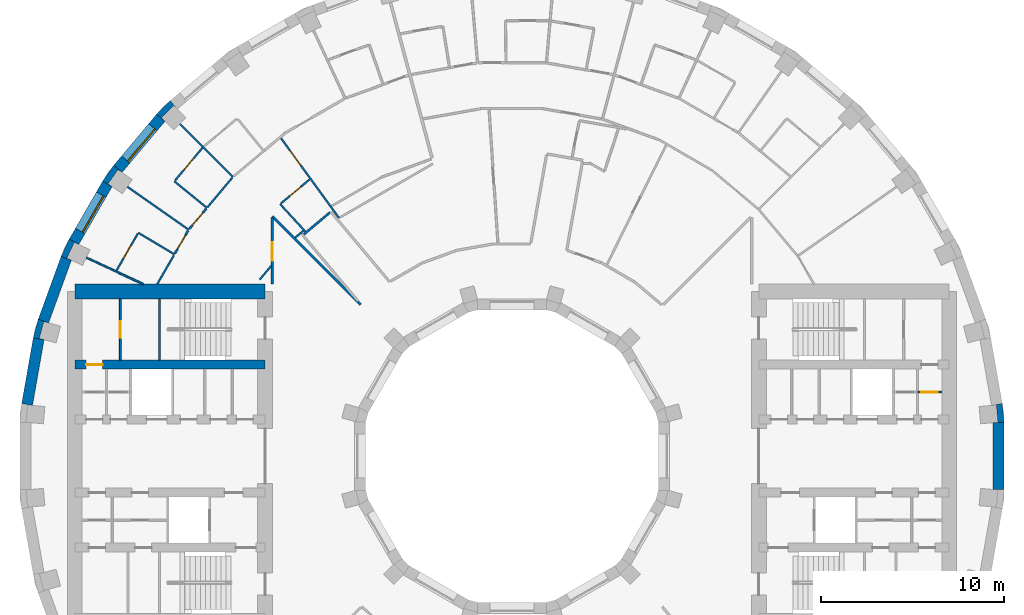
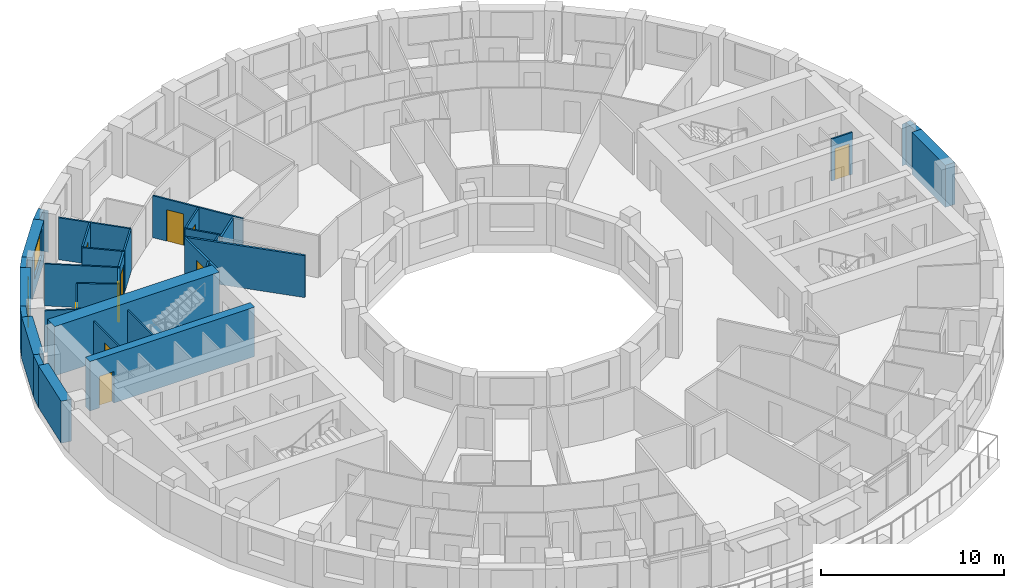
# One storey, part 11 of 16: 34 walls, 10 doors, 2 windows, 12 openings.
"""IFC4 building model written with IfcOpenShell, lengths in metres."""

from ifc_helpers import new_model, si_unit, direction, frame, frame_2d, origin, place, context, subcontext, project, spatial, polyline, rectangle, outline, extrude, material, layer, layer_set, type_object, element, fill, save


model = new_model("IFC4")

# Units and contexts
model_context = context("Model", 3, precision=1e-05, world=origin(), true_north=direction((0.0, 1.0)))
body_context = subcontext(model_context, "Body", "Model", "MODEL_VIEW")
ifc_project = project(units=[si_unit("LENGTHUNIT", "METRE"), si_unit("AREAUNIT", "SQUARE_METRE"), si_unit("VOLUMEUNIT", "CUBIC_METRE"), si_unit("PLANEANGLEUNIT", "RADIAN"), si_unit("MASSUNIT", "GRAM", prefix="KILO")], contexts=[model_context])

# Site, building, storey
site_placement = place(None, origin())
site = spatial("IfcSite", under=ifc_project, at=site_placement, CompositionType="ELEMENT")
building_placement = place(site_placement, origin())
building = spatial("IfcBuilding", under=site, at=building_placement, Name="Saqina Gate Tower", CompositionType="ELEMENT")
storey_placement = place(building_placement, frame((0.0, 0.0, 141.39990234375)))
storey = spatial("IfcBuildingStorey", under=building, at=storey_placement, Name="L40", CompositionType="ELEMENT", Elevation=141.39990234375)

# Walls
ifc_material_1 = material(Name="Brick masonry (buff)", Category="masonry")
wall_type_1 = type_object("IfcWallType", Name="BRICK PIER COPING BUFF", PredefinedType="SOLIDWALL", material=ifc_material_1)
wall_1_placement = place(storey_placement, origin())
element("IfcWall", 1, at=wall_1_placement, inside=storey, type_object=wall_type_1, Name="Pier cap L40 column 1", PredefinedType="SOLIDWALL", context=body_context, shape_type="SweptSolid", body=[
    extrude(outline(polyline([(26.805419921875, 2.87451171875), (26.214599609375, 2.770263671875), (26.482421875, 2.793701171875), (26.565185546875, 1.847412109375), (26.29736328125, 1.823974609375), (26.897216796875, 1.823974609375), (26.805419921875, 2.87451171875)])), origin(), (0.0, 0.0, 1.0), 2.800048828125),
])
wall_2_placement = place(storey_placement, origin())
element("IfcWall", 2, at=wall_2_placement, inside=storey, type_object=wall_type_1, Name="Pier cap L40 column 14", PredefinedType="SOLIDWALL", context=body_context, shape_type="SweptSolid", body=[
    extrude(outline(polyline([(-18.686279296875, 19.43212890625), (-19.43212890625, 18.686279296875), (-18.972412109375, 18.30078125), (-19.16259765625, 18.49072265625), (-18.49072265625, 19.16259765625), (-18.30078125, 18.972412109375), (-18.686279296875, 19.43212890625)])), origin(), (0.0, 0.0, 1.0), 2.800048828125),
])
wall_3_placement = place(storey_placement, origin())
element("IfcWall", 3, at=wall_3_placement, inside=storey, type_object=wall_type_1, Name="Pier cap L40 column 15", PredefinedType="SOLIDWALL", context=body_context, shape_type="SweptSolid", body=[
    extrude(outline(polyline([(-22.3818359375, 15.0283203125), (-21.862060546875, 14.728271484375), (-22.08251953125, 14.88232421875), (-21.53759765625, 15.66064453125), (-21.317138671875, 15.50634765625), (-21.77685546875, 15.89208984375), (-22.3818359375, 15.0283203125)])), origin(), (0.0, 0.0, 1.0), 2.800048828125),
])
wall_4_placement = place(storey_placement, origin())
element("IfcWall", 4, at=wall_4_placement, inside=storey, type_object=wall_type_1, Name="Pier cap L40 column 16", PredefinedType="SOLIDWALL", context=body_context, shape_type="SweptSolid", body=[
    extrude(outline(polyline([(-24.6513671875, 10.913330078125), (-24.08740234375, 10.7080078125), (-24.331298828125, 10.82177734375), (-23.9296875, 11.6826171875), (-23.68603515625, 11.569091796875), (-24.205810546875, 11.869140625), (-24.6513671875, 10.913330078125)])), origin(), (0.0, 0.0, 1.0), 2.800048828125),
])
wall_5_placement = place(storey_placement, origin())
element("IfcWall", 5, at=wall_5_placement, inside=storey, type_object=wall_type_1, Name="Pier cap L40 column 17", PredefinedType="SOLIDWALL", context=body_context, shape_type="SweptSolid", body=[
    extrude(outline(polyline([(-25.89892578125, 7.485595703125), (-26.171875, 6.466796875), (-25.5810546875, 6.36279296875), (-25.8408203125, 6.43212890625), (-25.5947265625, 7.349853515625), (-25.335205078125, 7.2802734375), (-25.89892578125, 7.485595703125)])), origin(), (0.0, 0.0, 1.0), 2.800048828125),
])

# Wall, opening, door
ifc_material_2 = material(Name="Gypsum board on steel studs", Category="steel")
ifc_layer_1 = layer(ifc_material_2, 0.10009765625)
ifc_layer_set_1 = layer_set([ifc_layer_1], Name="CORE PARTITION")
wall_type_2 = type_object("IfcWallType", Name="CORE PARTITION", PredefinedType="PARTITIONING", material=ifc_layer_set_1)
wall_6_placement = place(storey_placement, frame((22.169921875, 3.5, 0.0), z_axis=(0.0, 0.0, 1.0), x_axis=(1.0, 0.0, 0.0)))
wall_6 = element("IfcWall", 6, at=wall_6_placement, inside=storey, type_object=wall_type_2, Name="L40-CP-E10", PredefinedType="PARTITIONING", context=body_context, shape_type="SweptSolid", body=[
    extrude(rectangle(XDim=1.330078125, YDim=0.10009765625, at=frame_2d((0.6650390625, 0.0))), origin(), (0.0, 0.0, 1.0), 2.800048828125),
])
opening_1_placement = place(wall_6_placement, frame((0.215087890625, 0.0, 0.0)))
opening_1 = element("IfcOpeningElement", 7, at=opening_1_placement, cuts=wall_6, Name="Opening G12-D98", PredefinedType="OPENING", context=body_context, shape_type="SweptSolid", body=[
    extrude(rectangle(XDim=0.89990234375, YDim=2.10009765625, at=frame_2d((0.449951171875, 1.050048828125))), frame((0.0, 0.06201171875, 0.0), z_axis=(0.0, -1.0, 0.0), x_axis=(1.0, 0.0, 0.0)), (0.0, 0.0, 1.0), 0.1240234375),
])
ifc_material_3 = material(Name="Steel-framed fire door leaf, EI 60", Category="steel")
door_type_1 = type_object("IfcDoorType", Name="SERVICE ROOM DOOR 900", OperationType="SINGLE_SWING_LEFT", PredefinedType="DOOR", material=ifc_material_3)
door_1_placement = place(opening_1_placement, origin())
door_1 = element("IfcDoor", 8, at=door_1_placement, inside=storey, type_object=door_type_1, Name="L40-CD-E09", OperationType="SINGLE_SWING_RIGHT", OverallHeight=2.10009765625, OverallWidth=0.89990234375, PredefinedType="DOOR", context=body_context, shape_type="SweptSolid", body=[
    extrude(rectangle(XDim=0.89990234375, YDim=2.10009765625, at=frame_2d((0.449951171875, 1.050048828125))), frame((0.0, 0.02490234375, 0.0), z_axis=(0.0, -1.0, 0.0), x_axis=(1.0, 0.0, 0.0)), (0.0, 0.0, 1.0), 0.050048828125),
])
fill(opening_1, door_1)

wall_7_placement = place(storey_placement, frame((-21.409912109375, 5.25, 0.0), z_axis=(0.0, 0.0, 1.0), x_axis=(0.0, 1.0, 0.0)))
wall_7 = element("IfcWall", 9, at=wall_7_placement, inside=storey, type_object=wall_type_2, Name="L40-CP-W14", PredefinedType="PARTITIONING", context=body_context, shape_type="SweptSolid", body=[
    extrude(rectangle(XDim=3.35009765625, YDim=0.10009765625, at=frame_2d((1.675048828125, 0.0))), origin(), (0.0, 0.0, 1.0), 2.800048828125),
])
opening_2_placement = place(wall_7_placement, frame((1.22509765625, 0.0, 0.0)))
opening_2 = element("IfcOpeningElement", 10, at=opening_2_placement, cuts=wall_7, Name="Opening G12-D120", PredefinedType="OPENING", context=body_context, shape_type="SweptSolid", body=[
    extrude(rectangle(XDim=0.89990234375, YDim=2.10009765625, at=frame_2d((0.449951171875, 1.050048828125))), frame((0.0, 0.06201171875, 0.0), z_axis=(0.0, -1.0, 0.0), x_axis=(1.0, 0.0, 0.0)), (0.0, 0.0, 1.0), 0.1240234375),
])
door_2_placement = place(opening_2_placement, origin())
door_2 = element("IfcDoor", 11, at=door_2_placement, inside=storey, type_object=door_type_1, Name="L40-CD-W31", OperationType="SINGLE_SWING_RIGHT", OverallHeight=2.10009765625, OverallWidth=0.89990234375, PredefinedType="DOOR", context=body_context, shape_type="SweptSolid", body=[
    extrude(rectangle(XDim=0.89990234375, YDim=2.10009765625, at=frame_2d((0.449951171875, 1.050048828125))), frame((0.0, 0.02490234375, 0.0), z_axis=(0.0, -1.0, 0.0), x_axis=(1.0, 0.0, 0.0)), (0.0, 0.0, 1.0), 0.050048828125),
])
fill(opening_2, door_2)

# Wall, opening, window
ifc_material_4 = material(Name="Brick masonry (buff)", Category="masonry")
ifc_layer_2 = layer(ifc_material_4, 0.60009765625)
ifc_layer_set_2 = layer_set([ifc_layer_2], Name="FW-BRICK-BUFF")
wall_type_3 = type_object("IfcWallType", Name="FW-BRICK-BUFF", PredefinedType="SOLIDWALL", material=ifc_layer_set_2)
wall_8_placement = place(storey_placement, frame((-19.202392578125, 18.49365234375, 0.0), z_axis=(0.0, 0.0, 1.0), x_axis=(-0.642774476932, -0.766055462616, 0.0)))
wall_8 = element("IfcWall", 12, at=wall_8_placement, inside=storey, type_object=wall_type_3, Name="Facade wall L40 facet 14", PredefinedType="SOLIDWALL", context=body_context, shape_type="SweptSolid", body=[
    extrude(rectangle(XDim=3.647705078125, YDim=0.60009765625, at=frame_2d((1.82373046875, 0.0))), origin(), (0.0, 0.0, 1.0), 2.800048828125),
])
opening_3_placement = place(wall_8_placement, frame((0.673828125, 0.0, 0.89990234375)))
opening_3 = element("IfcOpeningElement", 13, at=opening_3_placement, cuts=wall_8, Name="Opening G12-W12", PredefinedType="OPENING", context=body_context, shape_type="SweptSolid", body=[
    extrude(rectangle(XDim=2.300048828125, YDim=1.800048828125, at=frame_2d((1.14990234375, 0.89990234375))), frame((0.0, 0.31201171875, 0.0), z_axis=(0.0, -1.0, 0.0), x_axis=(1.0, 0.0, 0.0)), (0.0, 0.0, 1.0), 0.6240234375),
])
ifc_material_5 = material(Name="Aluminium glazing", Category="aluminium")
window_type = type_object("IfcWindowType", Name="WN-B", PartitioningType="SINGLE_PANEL", PredefinedType="WINDOW", material=ifc_material_5)
window_1_placement = place(opening_3_placement, origin())
window_1 = element("IfcWindow", 14, at=window_1_placement, inside=storey, type_object=window_type, Name="Window L40 facet 14", OverallHeight=1.800048828125, OverallWidth=2.300048828125, PartitioningType="SINGLE_PANEL", PredefinedType="WINDOW", context=body_context, shape_type="SweptSolid", body=[
    extrude(rectangle(XDim=2.300048828125, YDim=1.800048828125, at=frame_2d((1.14990234375, 0.89990234375))), frame((0.0, 0.179931640625, 0.0), z_axis=(0.0, -1.0, 0.0), x_axis=(1.0, 0.0, 0.0)), (0.0, 0.0, 1.0), 0.06005859375),
])
fill(opening_3, window_1)

wall_9_placement = place(storey_placement, frame((-22.1220703125, 14.878173828125, 0.0), z_axis=(0.0, 0.0, 1.0), x_axis=(-0.499954196102, -0.866051847062, 0.0)))
wall_9 = element("IfcWall", 15, at=wall_9_placement, inside=storey, type_object=wall_type_3, Name="Facade wall L40 facet 15", PredefinedType="SOLIDWALL", context=body_context, shape_type="SweptSolid", body=[
    extrude(rectangle(XDim=3.647705078125, YDim=0.60009765625, at=frame_2d((1.82373046875, 0.0))), origin(), (0.0, 0.0, 1.0), 2.800048828125),
])
opening_4_placement = place(wall_9_placement, frame((0.673828125, 0.0, 0.89990234375)))
opening_4 = element("IfcOpeningElement", 16, at=opening_4_placement, cuts=wall_9, Name="Opening G12-W13", PredefinedType="OPENING", context=body_context, shape_type="SweptSolid", body=[
    extrude(rectangle(XDim=2.300048828125, YDim=1.800048828125, at=frame_2d((1.14990234375, 0.89990234375))), frame((0.0, 0.31201171875, 0.0), z_axis=(0.0, -1.0, 0.0), x_axis=(1.0, 0.0, 0.0)), (0.0, 0.0, 1.0), 0.6240234375),
])
window_2_placement = place(opening_4_placement, origin())
window_2 = element("IfcWindow", 17, at=window_2_placement, inside=storey, type_object=window_type, Name="Window L40 facet 15", OverallHeight=1.800048828125, OverallWidth=2.300048828125, PartitioningType="SINGLE_PANEL", PredefinedType="WINDOW", context=body_context, shape_type="SweptSolid", body=[
    extrude(rectangle(XDim=2.300048828125, YDim=1.800048828125, at=frame_2d((1.14990234375, 0.89990234375))), frame((0.0, 0.179931640625, 0.0), z_axis=(0.0, -1.0, 0.0), x_axis=(1.0, 0.0, 0.0)), (0.0, 0.0, 1.0), 0.06005859375),
])
fill(opening_4, window_2)

# Walls
ifc_material_6 = material(Name="Glazed ceramic tile", Category="ceramic")
ifc_layer_3 = layer(ifc_material_6, 0.60009765625)
ifc_layer_set_3 = layer_set([ifc_layer_3], Name="FW-TILE")
wall_type_4 = type_object("IfcWallType", Name="FW-TILE", PredefinedType="SOLIDWALL", material=ifc_layer_set_3)
wall_10_placement = place(storey_placement, frame((-25.87646484375, 6.414794921875, 0.0), z_axis=(0.0, 0.0, 1.0), x_axis=(-0.173670796382, -0.984803764455, 0.0)))
element("IfcWall", 18, at=wall_10_placement, inside=storey, type_object=wall_type_4, Name="Facade wall L40 facet 17", PredefinedType="SOLIDWALL", context=body_context, shape_type="SweptSolid", body=[
    extrude(rectangle(XDim=3.64794921875, YDim=0.60009765625, at=frame_2d((1.823974609375, 0.0))), origin(), (0.0, 0.0, 1.0), 2.800048828125),
])
ifc_material_7 = material(Name="Glazed ceramic tile (white)", Category="ceramic")
ifc_layer_4 = layer(ifc_material_7, 0.60009765625)
ifc_layer_set_4 = layer_set([ifc_layer_4], Name="FW-TILE-WH")
wall_type_5 = type_object("IfcWallType", Name="FW-TILE-WH", PredefinedType="SOLIDWALL", material=ifc_layer_set_4)
for number, where, z_axis, x_axis, name in (
    (19, (-24.369384765625, 10.810791015625, 0.0), (0.0, 0.0, 1.0), (-0.341990236633, -0.939703505393, 0.0), "Facade wall L40 facet 16"),
    (20, (26.59716796875, -1.823974609375, 0.0), (0.0, 0.0, 1.0), (0.0, 1.0, 0.0), "Facade wall L40 facet 36"),
):
    element("IfcWall", number, at=place(storey_placement, frame(where, z_axis=z_axis, x_axis=x_axis)), inside=storey, type_object=wall_type_5, Name=name, PredefinedType="SOLIDWALL", context=body_context, shape_type="SweptSolid", body=[
        extrude(rectangle(XDim=3.64794921875, YDim=0.60009765625, at=frame_2d((1.823974609375, 0.0))), origin(), (0.0, 0.0, 1.0), 2.800048828125),
    ])

# Wall, opening, door
ifc_material_8 = material(Name="Gypsum board on steel studs, 100 mm", Category="steel")
ifc_layer_5 = layer(ifc_material_8, 0.10009765625)
ifc_layer_set_5 = layer_set([ifc_layer_5], Name="PARTITION 100")
wall_type_6 = type_object("IfcWallType", Name="PARTITION 100", PredefinedType="PARTITIONING", material=ifc_layer_set_5)
wall_11_placement = place(storey_placement, frame((-12.629150390625, 17.3818359375, 0.0), z_axis=(0.0, 0.0, 1.0), x_axis=(0.587934886014, -0.808908257967, 0.0)))
wall_11 = element("IfcWall", 21, at=wall_11_placement, inside=storey, type_object=wall_type_6, Name="PARTITION PW3-14", PredefinedType="PARTITIONING", context=body_context, shape_type="SweptSolid", body=[
    extrude(rectangle(XDim=5.39501953125, YDim=0.10009765625, at=frame_2d((2.697509765625, 0.0))), origin(), (0.0, 0.0, 1.0), 2.800048828125),
])
opening_5_placement = place(wall_11_placement, frame((0.839599609375, 0.0, 0.0)))
opening_5 = element("IfcOpeningElement", 22, at=opening_5_placement, cuts=wall_11, Name="Opening G12-D24", PredefinedType="OPENING", context=body_context, shape_type="SweptSolid", body=[
    extrude(rectangle(XDim=1.0, YDim=2.10009765625, at=frame_2d((0.5, 1.050048828125))), frame((0.0, 0.06201171875, 0.0), z_axis=(0.0, -1.0, 0.0), x_axis=(1.0, 0.0, 0.0)), (0.0, 0.0, 1.0), 0.1240234375),
])
ifc_material_9 = material(Name="Timber door leaf, 1000 mm", Category="wood")
door_type_2 = type_object("IfcDoorType", Name="DOOR 1000 TIMBER", OperationType="SINGLE_SWING_LEFT", PredefinedType="DOOR", material=ifc_material_9)
door_3_placement = place(opening_5_placement, origin())
door_3 = element("IfcDoor", 23, at=door_3_placement, inside=storey, type_object=door_type_2, Name="DOOR G12-D24", OperationType="SINGLE_SWING_LEFT", OverallHeight=2.10009765625, OverallWidth=1.0, PredefinedType="DOOR", context=body_context, shape_type="SweptSolid", body=[
    extrude(rectangle(XDim=1.0, YDim=2.10009765625, at=frame_2d((0.5, 1.050048828125))), frame((0.0, 0.02490234375, 0.0), z_axis=(0.0, -1.0, 0.0), x_axis=(1.0, 0.0, 0.0)), (0.0, 0.0, 1.0), 0.050048828125),
])
fill(opening_5, door_3)

# Walls
wall_12_placement = place(storey_placement, frame((-12.67529296875, 13.775634765625, 0.0), z_axis=(0.0, 0.0, 1.0), x_axis=(0.676672647076, -0.736284000029, 0.0)))
element("IfcWall", 24, at=wall_12_placement, inside=storey, type_object=wall_type_6, Name="PARTITION PW3-21", PredefinedType="PARTITIONING", context=body_context, shape_type="SweptSolid", body=[
    extrude(rectangle(XDim=2.03955078125, YDim=0.10009765625, at=frame_2d((1.019775390625, 0.0))), origin(), (0.0, 0.0, 1.0), 2.800048828125),
])
wall_13_placement = place(storey_placement, frame((-18.14794921875, 18.14794921875, 0.0), z_axis=(0.0, 0.0, 1.0), x_axis=(0.707106781187, -0.707106781187, 0.0)))
element("IfcWall", 25, at=wall_13_placement, inside=storey, type_object=wall_type_6, Name="PARTITION PW3-23", PredefinedType="PARTITIONING", context=body_context, shape_type="SweptSolid", body=[
    extrude(rectangle(XDim=4.08544921875, YDim=0.10009765625, at=frame_2d((2.042724609375, 0.0))), origin(), (0.0, 0.0, 1.0), 2.800048828125),
])
wall_14_placement = place(storey_placement, frame((-18.4599609375, 15.02197265625, 0.0), z_axis=(0.0, 0.0, 1.0), x_axis=(0.775591007639, -0.6312357633, 0.0)))
element("IfcWall", 26, at=wall_14_placement, inside=storey, type_object=wall_type_6, Name="PARTITION PW3-32", PredefinedType="PARTITIONING", context=body_context, shape_type="SweptSolid", body=[
    extrude(rectangle(XDim=2.300048828125, YDim=0.10009765625, at=frame_2d((1.14990234375, 0.0))), origin(), (0.0, 0.0, 1.0), 2.800048828125),
])
wall_15_placement = place(storey_placement, frame((-21.023681640625, 14.720703125, 0.0), z_axis=(0.0, 0.0, 1.0), x_axis=(0.819108383097, -0.573638785945, 0.0)))
element("IfcWall", 27, at=wall_15_placement, inside=storey, type_object=wall_type_6, Name="PARTITION PW3-33", PredefinedType="PARTITIONING", context=body_context, shape_type="SweptSolid", body=[
    extrude(rectangle(XDim=4.085693359375, YDim=0.10009765625, at=frame_2d((2.04296875, 0.0))), origin(), (0.0, 0.0, 1.0), 2.800048828125),
])
wall_16_placement = place(storey_placement, frame((-20.429931640625, 12.208984375, 0.0), z_axis=(0.0, 0.0, 1.0), x_axis=(0.858446574718, -0.512902991174, 0.0)))
element("IfcWall", 28, at=wall_16_placement, inside=storey, type_object=wall_type_6, Name="PARTITION PW3-35", PredefinedType="PARTITIONING", context=body_context, shape_type="SweptSolid", body=[
    extrude(rectangle(XDim=2.300537109375, YDim=0.10009765625, at=frame_2d((1.150390625, 0.0))), origin(), (0.0, 0.0, 1.0), 2.800048828125),
])
wall_17_placement = place(storey_placement, frame((-23.260009765625, 10.84716796875, 0.0), z_axis=(0.0, 0.0, 1.0), x_axis=(0.906223222272, -0.422799564114, 0.0)))
element("IfcWall", 29, at=wall_17_placement, inside=storey, type_object=wall_type_6, Name="PARTITION PW3-45", PredefinedType="PARTITIONING", context=body_context, shape_type="SweptSolid", body=[
    extrude(rectangle(XDim=3.423095703125, YDim=0.10009765625, at=frame_2d((1.71142578125, 0.0))), origin(), (0.0, 0.0, 1.0), 2.800048828125),
])
wall_18_placement = place(storey_placement, frame((-11.853515625, 11.94140625, 0.0), z_axis=(0.0, 0.0, 1.0), x_axis=(0.765622887771, 0.643289665486, 0.0)))
element("IfcWall", 30, at=wall_18_placement, inside=storey, type_object=wall_type_6, Name="PARTITION PW3-83", PredefinedType="PARTITIONING", context=body_context, shape_type="SweptSolid", body=[
    extrude(rectangle(XDim=0.586669921875, YDim=0.10009765625, at=frame_2d((0.29345703125, 0.0))), origin(), (0.0, 0.0, 1.0), 2.800048828125),
])

# Wall, opening, door
wall_19_placement = place(storey_placement, frame((-12.63671875, 13.807861328125, 0.0), z_axis=(0.0, 0.0, 1.0), x_axis=(0.766269322056, 0.64251951416, 0.0)))
wall_19 = element("IfcWall", 31, at=wall_19_placement, inside=storey, type_object=wall_type_6, Name="PARTITION PW3-84", PredefinedType="PARTITIONING", context=body_context, shape_type="SweptSolid", body=[
    extrude(rectangle(XDim=2.0439453125, YDim=0.10009765625, at=frame_2d((1.02197265625, 0.0))), origin(), (0.0, 0.0, 1.0), 2.800048828125),
])
opening_6_placement = place(wall_19_placement, frame((0.6220703125, 0.0, 0.0)))
opening_6 = element("IfcOpeningElement", 32, at=opening_6_placement, cuts=wall_19, Name="Opening G12-D25", PredefinedType="OPENING", context=body_context, shape_type="SweptSolid", body=[
    extrude(rectangle(XDim=0.800048828125, YDim=2.10009765625, at=frame_2d((0.39990234375, 1.050048828125))), frame((0.0, 0.06201171875, 0.0), z_axis=(0.0, -1.0, 0.0), x_axis=(1.0, 0.0, 0.0)), (0.0, 0.0, 1.0), 0.1240234375),
])
ifc_material_10 = material(Name="Timber door leaf, 800 mm", Category="wood")
door_type_3 = type_object("IfcDoorType", Name="DOOR 800 TIMBER", OperationType="SINGLE_SWING_LEFT", PredefinedType="DOOR", material=ifc_material_10)
door_4_placement = place(opening_6_placement, origin())
door_4 = element("IfcDoor", 33, at=door_4_placement, inside=storey, type_object=door_type_3, Name="DOOR G12-D25", OperationType="SINGLE_SWING_RIGHT", OverallHeight=2.10009765625, OverallWidth=0.800048828125, PredefinedType="DOOR", context=body_context, shape_type="SweptSolid", body=[
    extrude(rectangle(XDim=0.800048828125, YDim=2.10009765625, at=frame_2d((0.39990234375, 1.050048828125))), frame((0.0, 0.02490234375, 0.0), z_axis=(0.0, -1.0, 0.0), x_axis=(1.0, 0.0, 0.0)), (0.0, 0.0, 1.0), 0.050048828125),
])
fill(opening_6, door_4)

# Walls
wall_20_placement = place(storey_placement, frame((-13.7880859375, 9.654052734375, 0.0), z_axis=(0.0, 0.0, 1.0), x_axis=(0.64289662775, 0.765952952881, 0.0)))
element("IfcWall", 34, at=wall_20_placement, inside=storey, type_object=wall_type_6, Name="PARTITION PW3-93", PredefinedType="PARTITIONING", context=body_context, shape_type="SweptSolid", body=[
    extrude(rectangle(XDim=1.0078125, YDim=0.10009765625, at=frame_2d((0.50390625, 0.0))), origin(), (0.0, 0.0, 1.0), 2.800048828125),
])
wall_21_placement = place(storey_placement, frame((-16.643798828125, 13.6083984375, 0.0), z_axis=(0.0, 0.0, 1.0), x_axis=(0.642715569181, 0.766104886508, 0.0)))
element("IfcWall", 35, at=wall_21_placement, inside=storey, type_object=wall_type_6, Name="PARTITION PW3-94", PredefinedType="PARTITIONING", context=body_context, shape_type="SweptSolid", body=[
    extrude(rectangle(XDim=2.103271484375, YDim=0.10009765625, at=frame_2d((1.0517578125, 0.0))), origin(), (0.0, 0.0, 1.0), 2.800048828125),
])

# Wall, opening, door
wall_22_placement = place(storey_placement, frame((-18.427734375, 15.060302734375, 0.0), z_axis=(0.0, 0.0, 1.0), x_axis=(0.642930267735, 0.765924716163, 0.0)))
wall_22 = element("IfcWall", 36, at=wall_22_placement, inside=storey, type_object=wall_type_6, Name="PARTITION PW3-95", PredefinedType="PARTITIONING", context=body_context, shape_type="SweptSolid", body=[
    extrude(rectangle(XDim=2.34033203125, YDim=0.10009765625, at=frame_2d((1.170166015625, 0.0))), origin(), (0.0, 0.0, 1.0), 2.800048828125),
])
opening_7_placement = place(wall_22_placement, frame((0.77001953125, 0.0, 0.0)))
opening_7 = element("IfcOpeningElement", 37, at=opening_7_placement, cuts=wall_22, Name="Opening G12-D27", PredefinedType="OPENING", context=body_context, shape_type="SweptSolid", body=[
    extrude(rectangle(XDim=0.800048828125, YDim=2.10009765625, at=frame_2d((0.39990234375, 1.050048828125))), frame((0.0, 0.06201171875, 0.0), z_axis=(0.0, -1.0, 0.0), x_axis=(1.0, 0.0, 0.0)), (0.0, 0.0, 1.0), 0.1240234375),
])
door_5_placement = place(opening_7_placement, origin())
door_5 = element("IfcDoor", 38, at=door_5_placement, inside=storey, type_object=door_type_3, Name="DOOR G12-D27", OperationType="SINGLE_SWING_LEFT", OverallHeight=2.10009765625, OverallWidth=0.800048828125, PredefinedType="DOOR", context=body_context, shape_type="SweptSolid", body=[
    extrude(rectangle(XDim=0.800048828125, YDim=2.10009765625, at=frame_2d((0.39990234375, 1.050048828125))), frame((0.0, 0.02490234375, 0.0), z_axis=(0.0, -1.0, 0.0), x_axis=(1.0, 0.0, 0.0)), (0.0, 0.0, 1.0), 0.050048828125),
])
fill(opening_7, door_5)

# Wall
wall_23_placement = place(storey_placement, frame((-19.39599609375, 9.39990234375, 0.0), z_axis=(0.0, 0.0, 1.0), x_axis=(0.500210961829, 0.865903570651, 0.0)))
element("IfcWall", 39, at=wall_23_placement, inside=storey, type_object=wall_type_6, Name="PARTITION PW3-103", PredefinedType="PARTITIONING", context=body_context, shape_type="SweptSolid", body=[
    extrude(rectangle(XDim=1.831298828125, YDim=0.10009765625, at=frame_2d((0.91552734375, 0.0))), origin(), (0.0, 0.0, 1.0), 2.800048828125),
])

# Wall, opening, door
wall_24_placement = place(storey_placement, frame((-21.625, 10.139404296875, 0.0), z_axis=(0.0, 0.0, 1.0), x_axis=(0.499999433879, 0.866025730634, 0.0)))
wall_24 = element("IfcWall", 40, at=wall_24_placement, inside=storey, type_object=wall_type_6, Name="PARTITION PW3-104", PredefinedType="PARTITIONING", context=body_context, shape_type="SweptSolid", body=[
    extrude(rectangle(XDim=2.33984375, YDim=0.10009765625, at=frame_2d((1.169921875, 0.0))), origin(), (0.0, 0.0, 1.0), 2.800048828125),
])
opening_8_placement = place(wall_24_placement, frame((0.77001953125, 0.0, 0.0)))
opening_8 = element("IfcOpeningElement", 41, at=opening_8_placement, cuts=wall_24, Name="Opening G12-D31", PredefinedType="OPENING", context=body_context, shape_type="SweptSolid", body=[
    extrude(rectangle(XDim=0.800048828125, YDim=2.10009765625, at=frame_2d((0.39990234375, 1.050048828125))), frame((0.0, 0.06201171875, 0.0), z_axis=(0.0, -1.0, 0.0), x_axis=(1.0, 0.0, 0.0)), (0.0, 0.0, 1.0), 0.1240234375),
])
door_6_placement = place(opening_8_placement, origin())
door_6 = element("IfcDoor", 42, at=door_6_placement, inside=storey, type_object=door_type_3, Name="DOOR G12-D31", OperationType="SINGLE_SWING_RIGHT", OverallHeight=2.10009765625, OverallWidth=0.800048828125, PredefinedType="DOOR", context=body_context, shape_type="SweptSolid", body=[
    extrude(rectangle(XDim=0.800048828125, YDim=2.10009765625, at=frame_2d((0.39990234375, 1.050048828125))), frame((0.0, 0.02490234375, 0.0), z_axis=(0.0, -1.0, 0.0), x_axis=(1.0, 0.0, 0.0)), (0.0, 0.0, 1.0), 0.050048828125),
])
fill(opening_8, door_6)

# Walls
ifc_material_11 = material(Name="Gypsum board on steel studs, 125 mm, fire rated", Category="steel")
ifc_layer_6 = layer(ifc_material_11, 0.125)
ifc_layer_set_6 = layer_set([ifc_layer_6], Name="PARTITION EI 30 125")
wall_type_7 = type_object("IfcWallType", Name="PARTITION EI 30 125", PredefinedType="PARTITIONING", material=ifc_layer_set_6)
wall_25_placement = place(storey_placement, frame((-13.096923828125, 13.096923828125, 0.0), z_axis=(0.0, 0.0, 1.0), x_axis=(0.707106781187, -0.707106781187, 0.0)))
element("IfcWall", 43, at=wall_25_placement, inside=storey, type_object=wall_type_7, Name="PARTITION PW1-09", PredefinedType="PARTITIONING", context=body_context, shape_type="SweptSolid", body=[
    extrude(rectangle(XDim=6.81494140625, YDim=0.125, at=frame_2d((3.407470703125, 0.0))), origin(), (0.0, 0.0, 1.0), 2.800048828125),
])
wall_26_placement = place(storey_placement, frame((-11.38818359375, 12.1142578125, 0.0), z_axis=(0.0, 0.0, 1.0), x_axis=(0.766199817297, 0.642602396489, 0.0)))
element("IfcWall", 44, at=wall_26_placement, inside=storey, type_object=wall_type_7, Name="PARTITION PW1-46", PredefinedType="PARTITIONING", context=body_context, shape_type="SweptSolid", body=[
    extrude(rectangle(XDim=1.87451171875, YDim=0.125, at=frame_2d((0.937255859375, 0.0))), origin(), (0.0, 0.0, 1.0), 2.800048828125),
])

# Wall, opening, door
wall_27_placement = place(storey_placement, frame((-17.644775390625, 12.415283203125, 0.0), z_axis=(0.0, 0.0, 1.0), x_axis=(0.642669367872, 0.766143644233, 0.0)))
wall_27 = element("IfcWall", 45, at=wall_27_placement, inside=storey, type_object=wall_type_7, Name="PARTITION PW1-52", PredefinedType="PARTITIONING", context=body_context, shape_type="SweptSolid", body=[
    extrude(rectangle(XDim=1.457275390625, YDim=0.125, at=frame_2d((0.728515625, 0.0))), origin(), (0.0, 0.0, 1.0), 2.800048828125),
])
opening_9_placement = place(wall_27_placement, frame((0.27880859375, 0.0, 0.0)))
opening_9 = element("IfcOpeningElement", 46, at=opening_9_placement, cuts=wall_27, Name="Opening G12-D29", PredefinedType="OPENING", context=body_context, shape_type="SweptSolid", body=[
    extrude(rectangle(XDim=0.89990234375, YDim=2.10009765625, at=frame_2d((0.449951171875, 1.050048828125))), frame((0.0, 0.074462890625, 0.0), z_axis=(0.0, -1.0, 0.0), x_axis=(1.0, 0.0, 0.0)), (0.0, 0.0, 1.0), 0.14892578125),
])
ifc_material_12 = material(Name="Fire door leaf EI 30, 900 mm")
door_type_4 = type_object("IfcDoorType", Name="DOOR 900 EI 30", OperationType="SINGLE_SWING_LEFT", PredefinedType="DOOR", material=ifc_material_12)
door_7_placement = place(opening_9_placement, frame((0.89990234375, 0.0, 0.0), z_axis=(0.0, 0.0, 1.0), x_axis=(-1.0, 0.0, 0.0)))
door_7 = element("IfcDoor", 47, at=door_7_placement, inside=storey, type_object=door_type_4, Name="DOOR G12-D29", OperationType="SINGLE_SWING_RIGHT", OverallHeight=2.10009765625, OverallWidth=0.89990234375, PredefinedType="DOOR", context=body_context, shape_type="SweptSolid", body=[
    extrude(rectangle(XDim=0.89990234375, YDim=2.10009765625, at=frame_2d((0.449951171875, 1.050048828125))), frame((0.0, 0.02490234375, 0.0), z_axis=(0.0, -1.0, 0.0), x_axis=(1.0, 0.0, 0.0)), (0.0, 0.0, 1.0), 0.050048828125),
])
fill(opening_9, door_7)

wall_28_placement = place(storey_placement, frame((-18.429931640625, 11.072265625, 0.0), z_axis=(0.0, 0.0, 1.0), x_axis=(0.499849317439, 0.866112382925, 0.0)))
wall_28 = element("IfcWall", 48, at=wall_28_placement, inside=storey, type_object=wall_type_7, Name="PARTITION PW1-55", PredefinedType="PARTITIONING", context=body_context, shape_type="SweptSolid", body=[
    extrude(rectangle(XDim=1.44384765625, YDim=0.125, at=frame_2d((0.721923828125, 0.0))), origin(), (0.0, 0.0, 1.0), 2.800048828125),
])
opening_10_placement = place(wall_28_placement, frame((0.2783203125, 0.0, 0.0)))
opening_10 = element("IfcOpeningElement", 49, at=opening_10_placement, cuts=wall_28, Name="Opening G12-D30", PredefinedType="OPENING", context=body_context, shape_type="SweptSolid", body=[
    extrude(rectangle(XDim=0.89990234375, YDim=2.10009765625, at=frame_2d((0.449951171875, 1.050048828125))), frame((0.0, 0.074462890625, 0.0), z_axis=(0.0, -1.0, 0.0), x_axis=(1.0, 0.0, 0.0)), (0.0, 0.0, 1.0), 0.14892578125),
])
door_8_placement = place(opening_10_placement, frame((0.89990234375, 0.0, 0.0), z_axis=(0.0, 0.0, 1.0), x_axis=(-1.0, 0.0, 0.0)))
door_8 = element("IfcDoor", 50, at=door_8_placement, inside=storey, type_object=door_type_4, Name="DOOR G12-D30", OperationType="SINGLE_SWING_LEFT", OverallHeight=2.10009765625, OverallWidth=0.89990234375, PredefinedType="DOOR", context=body_context, shape_type="SweptSolid", body=[
    extrude(rectangle(XDim=0.89990234375, YDim=2.10009765625, at=frame_2d((0.449951171875, 1.050048828125))), frame((0.0, 0.02490234375, 0.0), z_axis=(0.0, -1.0, 0.0), x_axis=(1.0, 0.0, 0.0)), (0.0, 0.0, 1.0), 0.050048828125),
])
fill(opening_10, door_8)

wall_29_placement = place(storey_placement, frame((-13.10009765625, 9.39990234375, 0.0), z_axis=(0.0, 0.0, 1.0), x_axis=(0.0, 1.0, 0.0)))
wall_29 = element("IfcWall", 51, at=wall_29_placement, inside=storey, type_object=wall_type_7, Name="PARTITION PW1-62", PredefinedType="PARTITIONING", context=body_context, shape_type="SweptSolid", body=[
    extrude(rectangle(XDim=3.633544921875, YDim=0.125, at=frame_2d((1.81689453125, 0.0))), origin(), (0.0, 0.0, 1.0), 2.800048828125),
])
opening_11_placement = place(wall_29_placement, frame((1.284912109375, 0.0, 0.0)))
opening_11 = element("IfcOpeningElement", 52, at=opening_11_placement, cuts=wall_29, Name="Opening G12-D28", PredefinedType="OPENING", context=body_context, shape_type="SweptSolid", body=[
    extrude(rectangle(XDim=1.0, YDim=2.10009765625, at=frame_2d((0.5, 1.050048828125))), frame((0.0, 0.074462890625, 0.0), z_axis=(0.0, -1.0, 0.0), x_axis=(1.0, 0.0, 0.0)), (0.0, 0.0, 1.0), 0.14892578125),
])
ifc_material_13 = material(Name="Fire door leaf EI 30, 1000 mm")
door_type_5 = type_object("IfcDoorType", Name="DOOR 1000 EI 30", OperationType="SINGLE_SWING_LEFT", PredefinedType="DOOR", material=ifc_material_13)
door_9_placement = place(opening_11_placement, origin())
door_9 = element("IfcDoor", 53, at=door_9_placement, inside=storey, type_object=door_type_5, Name="DOOR G12-D28", OperationType="SINGLE_SWING_LEFT", OverallHeight=2.10009765625, OverallWidth=1.0, PredefinedType="DOOR", context=body_context, shape_type="SweptSolid", body=[
    extrude(rectangle(XDim=1.0, YDim=2.10009765625, at=frame_2d((0.5, 1.050048828125))), frame((0.0, 0.02490234375, 0.0), z_axis=(0.0, -1.0, 0.0), x_axis=(1.0, 0.0, 0.0)), (0.0, 0.0, 1.0), 0.050048828125),
])
fill(opening_11, door_9)

# Wall
ifc_material_14 = material(Name="Autoclaved aerated concrete block", Category="concrete")
ifc_layer_7 = layer(ifc_material_14, 0.10009765625)
ifc_layer_set_7 = layer_set([ifc_layer_7], Name="STAIR ENCLOSURE WALL")
wall_type_8 = type_object("IfcWallType", Name="STAIR ENCLOSURE WALL", PredefinedType="PARTITIONING", material=ifc_layer_set_7)
wall_30_placement = place(storey_placement, frame((-19.27001953125, 5.25, 0.0), z_axis=(0.0, 0.0, 1.0), x_axis=(0.0, 1.0, 0.0)))
element("IfcWall", 54, at=wall_30_placement, inside=storey, type_object=wall_type_8, Name="L40-CP-W13", PredefinedType="PARTITIONING", context=body_context, shape_type="SweptSolid", body=[
    extrude(rectangle(XDim=3.35009765625, YDim=0.10009765625, at=frame_2d((1.675048828125, 0.0))), origin(), (0.0, 0.0, 1.0), 2.800048828125),
])

# Wall, opening, door
ifc_material_15 = material(Name="Concrete C70/85", Category="concrete")
ifc_layer_8 = layer(ifc_material_15, 0.5)
ifc_layer_set_8 = layer_set([ifc_layer_8], Name="Concrete C70/85")
wall_type_9 = type_object("IfcWallType", Name="STR-CORE WALL-B-I", PredefinedType="SHEAR", material=ifc_layer_set_8)
wall_31_placement = place(storey_placement, frame((-13.5, 5.0, 0.0), z_axis=(0.0, 0.0, 1.0), x_axis=(-1.0, 0.0, 0.0)))
wall_31 = element("IfcWall", 55, at=wall_31_placement, inside=storey, type_object=wall_type_9, Name="CORE WALL L40 W-X1", PredefinedType="SHEAR", context=body_context, shape_type="SweptSolid", body=[
    extrude(rectangle(XDim=10.39990234375, YDim=0.5, at=frame_2d((5.199951171875, 0.0))), origin(), (0.0, 0.0, 1.0), 3.300048828125),
])
opening_12_placement = place(wall_31_placement, frame((8.885009765625, 0.0, 0.0)))
opening_12 = element("IfcOpeningElement", 56, at=opening_12_placement, cuts=wall_31, Name="Opening G12-D121", PredefinedType="OPENING", context=body_context, shape_type="SweptSolid", body=[
    extrude(rectangle(XDim=0.89990234375, YDim=2.10009765625, at=frame_2d((0.449951171875, 1.050048828125))), frame((0.0, 0.261962890625, 0.0), z_axis=(0.0, -1.0, 0.0), x_axis=(1.0, 0.0, 0.0)), (0.0, 0.0, 1.0), 0.52392578125),
])
door_10_placement = place(opening_12_placement, frame((0.89990234375, 0.0, 0.0), z_axis=(0.0, 0.0, 1.0), x_axis=(-1.0, 0.0, 0.0)))
door_10 = element("IfcDoor", 57, at=door_10_placement, inside=storey, type_object=door_type_1, Name="L40-CD-W32", OperationType="SINGLE_SWING_LEFT", OverallHeight=2.10009765625, OverallWidth=0.89990234375, PredefinedType="DOOR", context=body_context, shape_type="SweptSolid", body=[
    extrude(rectangle(XDim=0.89990234375, YDim=2.10009765625, at=frame_2d((0.449951171875, 1.050048828125))), frame((0.0, 0.02490234375, 0.0), z_axis=(0.0, -1.0, 0.0), x_axis=(1.0, 0.0, 0.0)), (0.0, 0.0, 1.0), 0.050048828125),
])
fill(opening_12, door_10)

# Wall
ifc_material_16 = material(Name="Concrete C70/85", Category="concrete")
ifc_layer_9 = layer(ifc_material_16, 0.800048828125)
ifc_layer_set_9 = layer_set([ifc_layer_9], Name="Concrete C70/85")
wall_type_10 = type_object("IfcWallType", Name="STR-CORE WALL-B-O", PredefinedType="SHEAR", material=ifc_layer_set_9)
wall_32_placement = place(storey_placement, frame((-13.5, 9.0, 0.0), z_axis=(0.0, 0.0, 1.0), x_axis=(-1.0, 0.0, 0.0)))
element("IfcWall", 58, at=wall_32_placement, inside=storey, type_object=wall_type_10, Name="CORE WALL L40 W-NE", PredefinedType="SHEAR", context=body_context, shape_type="SweptSolid", body=[
    extrude(rectangle(XDim=10.39990234375, YDim=0.800048828125, at=frame_2d((5.199951171875, 0.0))), origin(), (0.0, 0.0, 1.0), 3.300048828125),
])

save(model, "model.ifc")
